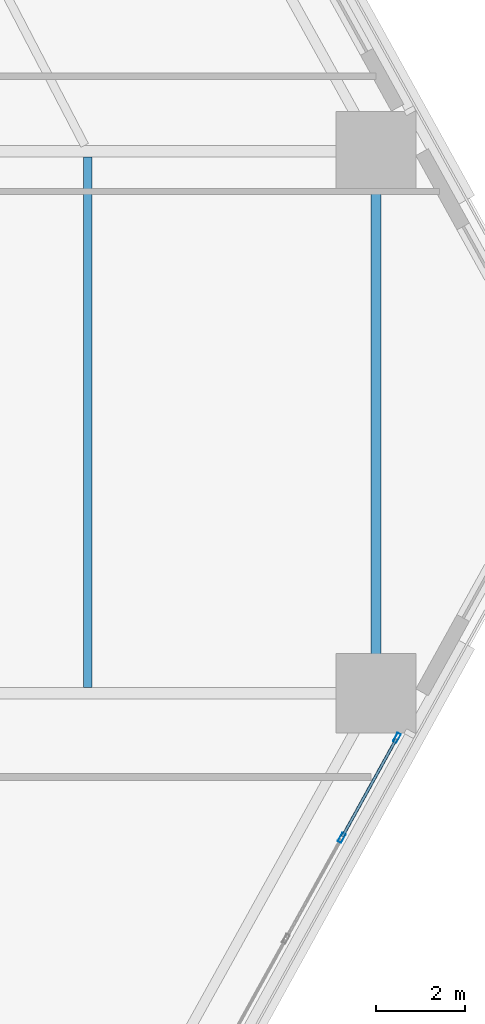
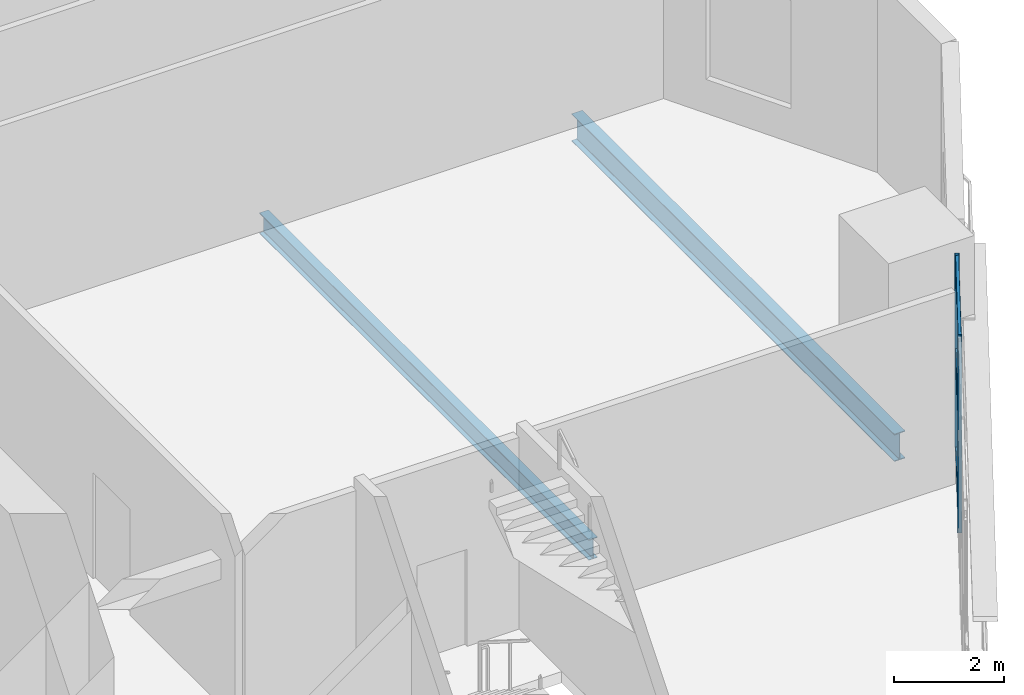
# One storey, part 4 of 21: 5 members, 2 beams, 1 element without a shape of its own.
"""IFC4 building model written with IfcOpenShell, lengths in metres."""

from ifc_helpers import new_model, si_unit, direction, frame, origin, origin_2d, place, context, subcontext, project, spatial, hollow_rectangle, i_section, extrude, material, layer, layer_set, material_profile, profile_set, type_object, element, aggregate, save


model = new_model("IFC4")

# Units and contexts
model_context = context("Model", 3, precision=1e-05, world=origin(), true_north=direction((0.0, 1.0)))
body_context = subcontext(model_context, "Body", "Model", "MODEL_VIEW")
ifc_project = project(units=[si_unit("LENGTHUNIT", "METRE"), si_unit("AREAUNIT", "SQUARE_METRE"), si_unit("VOLUMEUNIT", "CUBIC_METRE"), si_unit("PLANEANGLEUNIT", "RADIAN"), si_unit("MASSUNIT", "GRAM", prefix="KILO")], contexts=[model_context])

# Site, building, storey
site_placement = place(None, origin())
site = spatial("IfcSite", under=ifc_project, at=site_placement, CompositionType="ELEMENT")
building_placement = place(site_placement, origin())
building = spatial("IfcBuilding", under=site, at=building_placement, Name="Cinnabar Lancet Tower", CompositionType="ELEMENT")
storey_placement = place(building_placement, frame((0.0, 0.0, 6.0)))
storey = spatial("IfcBuildingStorey", under=building, at=storey_placement, Name="L01", CompositionType="ELEMENT", Elevation=6.0)

# Curtain wall, members
ifc_material_1 = material(Name="Thermally broken bronze-anodized aluminium and low-E glass", Category="aluminium")
ifc_layer = layer(ifc_material_1, 0.179931640625)
ifc_layer_set = layer_set([ifc_layer], Name="Thermally broken bronze-anodized aluminium and low-E glass")
curtain_wall_type = type_object("IfcCurtainWallType", Name="ENV-CW-SYS-02", PredefinedType="NOTDEFINED", material=ifc_layer_set)
curtain_wall_placement = place(storey_placement, origin())
curtain_wall = element("IfcCurtainWall", 1, at=curtain_wall_placement, inside=storey, type_object=curtain_wall_type, Name="L01 Face 2 Feature Curtain Wall", PredefinedType="NOTDEFINED")
ifc_material_2 = material(Name="Anodized architectural aluminium 6063-T6", Category="aluminium")
ifc_material_profile_1 = material_profile(ifc_material_2, hollow_rectangle(XDim=0.0849609375, YDim=0.219970703125, WallThickness=0.0048828125, InnerFilletRadius=0.00244140625, OuterFilletRadius=0.007568359375, at=origin_2d()), Name="CW-MUL 220x85x5")
ifc_profile_set_1 = profile_set([ifc_material_profile_1], Name="Anodized architectural aluminium 6063-T6")
member_type_1 = type_object("IfcMemberType", Name="ENV-CW-MUL-220", PredefinedType="MULLION", material=ifc_profile_set_1)
member_1_placement = place(storey_placement, frame((59.1220703125, 16.432861328125, 0.0), z_axis=(0.0, 0.0, 1.0), x_axis=(-0.875242391442, 0.48368456273, 0.0)))
member_1 = element("IfcMember", 2, at=member_1_placement, type_object=member_type_1, Name="CW-02 mullion 5", PredefinedType="MULLION", context=body_context, shape_type="SweptSolid", body=[
    extrude(hollow_rectangle(XDim=0.0849609375, YDim=0.219970703125, WallThickness=0.0048828125, InnerFilletRadius=0.00244140625, OuterFilletRadius=0.007568359375, at=origin_2d()), origin(), (0.0, 0.0, 1.0), 4.25),
])
member_2_placement = place(storey_placement, frame((60.366455078125, 18.684814453125, 0.0), z_axis=(0.0, 0.0, 1.0), x_axis=(-0.875242391442, 0.48368456273, 0.0)))
member_2 = element("IfcMember", 3, at=member_2_placement, type_object=member_type_1, Name="CW-02 mullion 6", PredefinedType="MULLION", context=body_context, shape_type="SweptSolid", body=[
    extrude(hollow_rectangle(XDim=0.0849609375, YDim=0.219970703125, WallThickness=0.0048828125, InnerFilletRadius=0.00244140625, OuterFilletRadius=0.007568359375, at=origin_2d()), origin(), (0.0, 0.0, 1.0), 4.25),
])
ifc_material_3 = material(Name="Anodized architectural aluminium 6063-T6", Category="aluminium")
ifc_material_profile_2 = material_profile(ifc_material_3, hollow_rectangle(XDim=0.06494140625, YDim=0.14990234375, WallThickness=0.00390625, InnerFilletRadius=0.001953125, OuterFilletRadius=0.006103515625, at=origin_2d()), Name="CW-TRN 150x65x4")
ifc_profile_set_2 = profile_set([ifc_material_profile_2], Name="Anodized architectural aluminium 6063-T6")
member_type_2 = type_object("IfcMemberType", Name="ENV-CW-TRN-160", PredefinedType="USERDEFINED", material=ifc_profile_set_2)
member_3_placement = place(storey_placement, frame((59.136474609375, 16.458984375, 0.030029296875), z_axis=(0.483711571576, 0.875227465019, 0.0), x_axis=(-0.875227465019, 0.483711571576, 0.0)))
member_3 = element("IfcMember", 4, at=member_3_placement, type_object=member_type_2, Name="CW-02 transom 5.1", ObjectType="TRANSOM", PredefinedType="USERDEFINED", context=body_context, shape_type="SweptSolid", body=[
    extrude(hollow_rectangle(XDim=0.06494140625, YDim=0.14990234375, WallThickness=0.00390625, InnerFilletRadius=0.001953125, OuterFilletRadius=0.006103515625, at=origin_2d()), origin(), (0.0, 0.0, 1.0), 2.512939453125),
])
member_4_placement = place(storey_placement, frame((59.136474609375, 16.458984375, 2.2099609375), z_axis=(0.483711571576, 0.875227465019, 0.0), x_axis=(-0.875227465019, 0.483711571576, 0.0)))
member_4 = element("IfcMember", 5, at=member_4_placement, type_object=member_type_2, Name="CW-02 transom 5.2", ObjectType="TRANSOM", PredefinedType="USERDEFINED", context=body_context, shape_type="SweptSolid", body=[
    extrude(hollow_rectangle(XDim=0.06494140625, YDim=0.14990234375, WallThickness=0.00390625, InnerFilletRadius=0.001953125, OuterFilletRadius=0.006103515625, at=origin_2d()), origin(), (0.0, 0.0, 1.0), 2.512939453125),
])
member_5_placement = place(storey_placement, frame((59.136474609375, 16.458984375, 4.219970703125), z_axis=(0.483711571576, 0.875227465019, 0.0), x_axis=(-0.875227465019, 0.483711571576, 0.0)))
member_5 = element("IfcMember", 6, at=member_5_placement, type_object=member_type_2, Name="CW-02 transom 5.3", ObjectType="TRANSOM", PredefinedType="USERDEFINED", context=body_context, shape_type="SweptSolid", body=[
    extrude(hollow_rectangle(XDim=0.06494140625, YDim=0.14990234375, WallThickness=0.00390625, InnerFilletRadius=0.001953125, OuterFilletRadius=0.006103515625, at=origin_2d()), origin(), (0.0, 0.0, 1.0), 2.512939453125),
])
aggregate(curtain_wall, [member_1, member_2, member_3, member_4, member_5])

# Beams
ifc_material_4 = material(Name="Structural steel S355", Category="steel")
ifc_material_profile_3 = material_profile(ifc_material_4, i_section(OverallWidth=0.1904296875, OverallDepth=0.45703125, WebThickness=0.009033203125, FlangeThickness=0.014404296875, FilletRadius=0.01025390625, at=origin_2d()), Name="UKB 457x191x74")
ifc_profile_set_3 = profile_set([ifc_material_profile_3], Name="Structural steel S355")
beam_type_1 = type_object("IfcBeamType", Name="STR-BM-JST-457", PredefinedType="JOIST", material=ifc_profile_set_3)
beam_1_placement = place(storey_placement, frame((53.39599609375, 19.824951171875, -0.47900390625), z_axis=(0.0, 1.0, 0.0), x_axis=(-1.0, 0.0, 0.0)))
element("IfcBeam", 7, at=beam_1_placement, inside=storey, type_object=beam_type_1, Name="L01 Secondary Floor Joist 1", PredefinedType="JOIST", context=body_context, shape_type="SweptSolid", body=[
    extrude(i_section(OverallWidth=0.1904296875, OverallDepth=0.45703125, WebThickness=0.009033203125, FlangeThickness=0.014404296875, FilletRadius=0.01025390625, at=origin_2d()), origin(), (0.0, 0.0, 1.0), 11.949951171875),
])
ifc_material_5 = material(Name="Structural steel S355", Category="steel")
ifc_material_profile_4 = material_profile(ifc_material_5, i_section(OverallWidth=0.228271484375, OverallDepth=0.607666015625, WebThickness=0.010986328125, FlangeThickness=0.017333984375, FilletRadius=0.0126953125, at=origin_2d()), Name="UKB 610x229x113")
ifc_profile_set_4 = profile_set([ifc_material_profile_4], Name="Structural steel S355")
beam_type_2 = type_object("IfcBeamType", Name="STR-BM-SPN-610", PredefinedType="SPANDREL", material=ifc_profile_set_4)
beam_2_placement = place(storey_placement, frame((59.89111328125, 19.94189453125, -0.553955078125), z_axis=(0.0, 1.0, 0.0), x_axis=(-1.0, 0.0, 0.0)))
element("IfcBeam", 8, at=beam_2_placement, inside=storey, type_object=beam_type_2, Name="L01 Perimeter Spandrel 4", PredefinedType="SPANDREL", context=body_context, shape_type="SweptSolid", body=[
    extrude(i_section(OverallWidth=0.228271484375, OverallDepth=0.607666015625, WebThickness=0.010986328125, FlangeThickness=0.017333984375, FilletRadius=0.0126953125, at=origin_2d()), origin(), (0.0, 0.0, 1.0), 11.716064453125),
])

save(model, "model.ifc")
